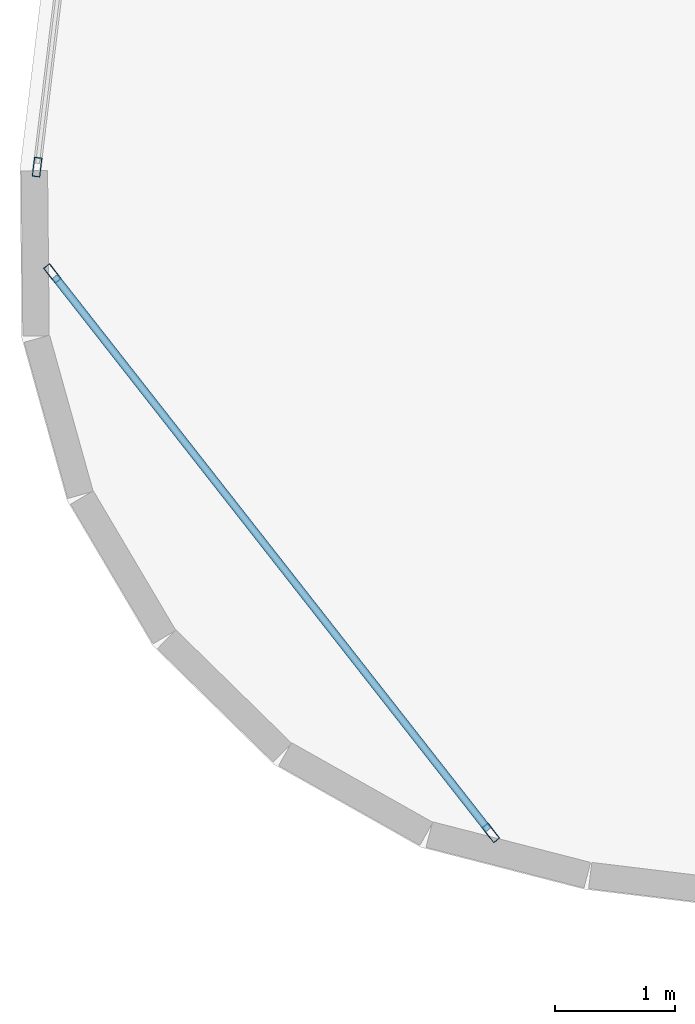
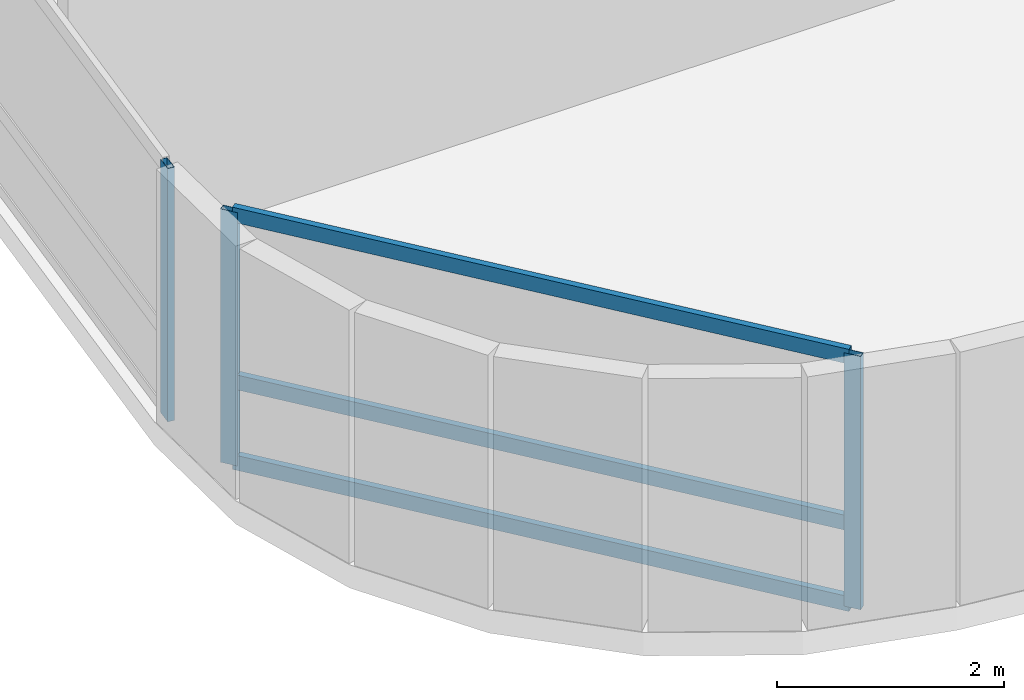
# One storey, part 2 of 25: 6 members, 2 elements without a shape of their own.
"""IFC4 building model written with IfcOpenShell, lengths in metres."""

from ifc_helpers import new_model, si_unit, direction, frame, origin, origin_2d, place, context, subcontext, project, spatial, hollow_rectangle, extrude, material, layer, layer_set, material_profile, profile_set, type_object, element, aggregate, save


model = new_model("IFC4")

# Units and contexts
model_context = context("Model", 3, precision=1e-05, world=origin(), true_north=direction((0.0, 1.0)))
body_context = subcontext(model_context, "Body", "Model", "MODEL_VIEW")
ifc_project = project(units=[si_unit("LENGTHUNIT", "METRE"), si_unit("AREAUNIT", "SQUARE_METRE"), si_unit("VOLUMEUNIT", "CUBIC_METRE"), si_unit("PLANEANGLEUNIT", "RADIAN"), si_unit("MASSUNIT", "GRAM", prefix="KILO")], contexts=[model_context])

# Site, building, storey
site_placement = place(None, origin())
site = spatial("IfcSite", under=ifc_project, at=site_placement, CompositionType="ELEMENT")
building_placement = place(site_placement, origin())
building = spatial("IfcBuilding", under=site, at=building_placement, Name="Varnelok Gate Tower", CompositionType="ELEMENT")
storey_placement = place(building_placement, frame((0.0, 0.0, 136.5)))
storey = spatial("IfcBuildingStorey", under=building, at=storey_placement, Name="L34", CompositionType="ELEMENT", Elevation=136.5)

# Curtain wall, member
ifc_material = material(Name="Anodized Aluminum Alloy 6063-T6", Category="aluminium")
ifc_layer_1 = layer(ifc_material, 0.179931640625)
ifc_layer_set_1 = layer_set([ifc_layer_1], Name="Anodized Aluminum Alloy 6063-T6")
curtain_wall_type_1 = type_object("IfcCurtainWallType", Name="CW3-HOTEL-VISION", PredefinedType="USERDEFINED", material=ifc_layer_set_1)
curtain_wall_1_placement = place(storey_placement, origin())
curtain_wall_1 = element("IfcCurtainWall", 1, at=curtain_wall_1_placement, inside=storey, type_object=curtain_wall_type_1, Name="L34 West End Vision Curtain Wall", ObjectType="UNITISED CURTAIN WALL", PredefinedType="USERDEFINED")
ifc_material_profile_1 = material_profile(ifc_material, hollow_rectangle(XDim=0.06494140625, YDim=0.159912109375, WallThickness=0.00390625, at=origin_2d()), Name="ALU160X65X4")
ifc_profile_set_1 = profile_set([ifc_material_profile_1], Name="Anodized Aluminum Alloy 6063-T6")
member_type_1 = type_object("IfcMemberType", Name="CW-MULL-160", PredefinedType="MULLION", material=ifc_profile_set_1)
member_1_placement = place(storey_placement, frame((0.2470703125, 11.923095703125, 0.0), z_axis=(0.0, 0.0, 1.0), x_axis=(-0.99273188146, 0.120347046212, 0.0)))
member_1 = element("IfcMember", 2, at=member_1_placement, type_object=member_type_1, Name="CW3 mullion 1", PredefinedType="MULLION", context=body_context, shape_type="SweptSolid", body=[
    extrude(hollow_rectangle(XDim=0.06494140625, YDim=0.159912109375, WallThickness=0.00390625, at=origin_2d()), origin(), (0.0, 0.0, 1.0), 2.72998046875),
])
aggregate(curtain_wall_1, [member_1])

# Curtain wall, members
ifc_layer_2 = layer(ifc_material, 0.179931640625)
ifc_layer_set_2 = layer_set([ifc_layer_2], Name="Anodized Aluminum Alloy 6063-T6")
curtain_wall_type_2 = type_object("IfcCurtainWallType", Name="CW5-WINDCORNER-GLAZ", PredefinedType="USERDEFINED", material=ifc_layer_set_2)
curtain_wall_2_placement = place(storey_placement, origin())
curtain_wall_2 = element("IfcCurtainWall", 3, at=curtain_wall_2_placement, inside=storey, type_object=curtain_wall_type_2, Name="L34 Wind-Shaped Corner Curtain Wall SW", ObjectType="STRUCTURAL GLAZING", PredefinedType="USERDEFINED")
member_2_placement = place(storey_placement, frame((0.374267578125, 11.035888671875, 0.0), z_axis=(0.0, 0.0, 1.0), x_axis=(0.787055039792, 0.616882780063, 0.0)))
member_2 = element("IfcMember", 4, at=member_2_placement, type_object=member_type_1, Name="CW5 mullion 1", PredefinedType="MULLION", context=body_context, shape_type="SweptSolid", body=[
    extrude(hollow_rectangle(XDim=0.06494140625, YDim=0.159912109375, WallThickness=0.00390625, at=origin_2d()), origin(), (0.0, 0.0, 1.0), 2.72998046875),
])
member_3_placement = place(storey_placement, frame((4.032958984375, 6.36767578125, 0.0), z_axis=(0.0, 0.0, 1.0), x_axis=(0.787055039792, 0.616882780063, 0.0)))
member_3 = element("IfcMember", 5, at=member_3_placement, type_object=member_type_1, Name="CW5 mullion 2", PredefinedType="MULLION", context=body_context, shape_type="SweptSolid", body=[
    extrude(hollow_rectangle(XDim=0.06494140625, YDim=0.159912109375, WallThickness=0.00390625, at=origin_2d()), origin(), (0.0, 0.0, 1.0), 2.72998046875),
])
ifc_material_profile_2 = material_profile(ifc_material, hollow_rectangle(XDim=0.06494140625, YDim=0.159912109375, WallThickness=0.00390625, at=origin_2d()), Name="ALU160X65X4")
ifc_profile_set_2 = profile_set([ifc_material_profile_2], Name="Anodized Aluminum Alloy 6063-T6")
member_type_2 = type_object("IfcMemberType", Name="CW-TRAN-160", PredefinedType="USERDEFINED", material=ifc_profile_set_2)
member_4_placement = place(storey_placement, frame((0.394287109375, 11.01025390625, 0.032470703125), z_axis=(0.616857972856, -0.787074482704, 0.0), x_axis=(0.787074482704, 0.616857972856, 0.0)))
member_4 = element("IfcMember", 6, at=member_4_placement, type_object=member_type_2, Name="CW5 transom 1.1", ObjectType="TRANSOM", PredefinedType="USERDEFINED", context=body_context, shape_type="SweptSolid", body=[
    extrude(hollow_rectangle(XDim=0.06494140625, YDim=0.159912109375, WallThickness=0.00390625, at=origin_2d()), origin(), (0.0, 0.0, 1.0), 5.8662109375),
])
member_5_placement = place(storey_placement, frame((0.394287109375, 11.01025390625, 0.89990234375), z_axis=(0.616857972856, -0.787074482704, 0.0), x_axis=(0.787074482704, 0.616857972856, 0.0)))
member_5 = element("IfcMember", 7, at=member_5_placement, type_object=member_type_2, Name="CW5 transom 1.2", ObjectType="TRANSOM", PredefinedType="USERDEFINED", context=body_context, shape_type="SweptSolid", body=[
    extrude(hollow_rectangle(XDim=0.06494140625, YDim=0.159912109375, WallThickness=0.00390625, at=origin_2d()), origin(), (0.0, 0.0, 1.0), 5.8662109375),
])
member_6_placement = place(storey_placement, frame((0.394287109375, 11.01025390625, 2.697509765625), z_axis=(0.616857972856, -0.787074482704, 0.0), x_axis=(0.787074482704, 0.616857972856, 0.0)))
member_6 = element("IfcMember", 8, at=member_6_placement, type_object=member_type_2, Name="CW5 transom 1.3", ObjectType="TRANSOM", PredefinedType="USERDEFINED", context=body_context, shape_type="SweptSolid", body=[
    extrude(hollow_rectangle(XDim=0.06494140625, YDim=0.159912109375, WallThickness=0.00390625, at=origin_2d()), origin(), (0.0, 0.0, 1.0), 5.8662109375),
])
aggregate(curtain_wall_2, [member_2, member_3, member_4, member_5, member_6])

save(model, "model.ifc")
